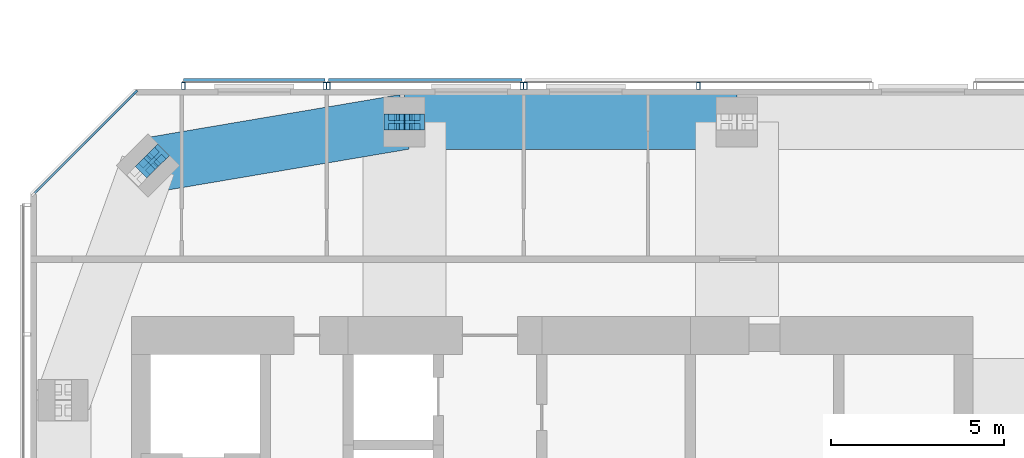
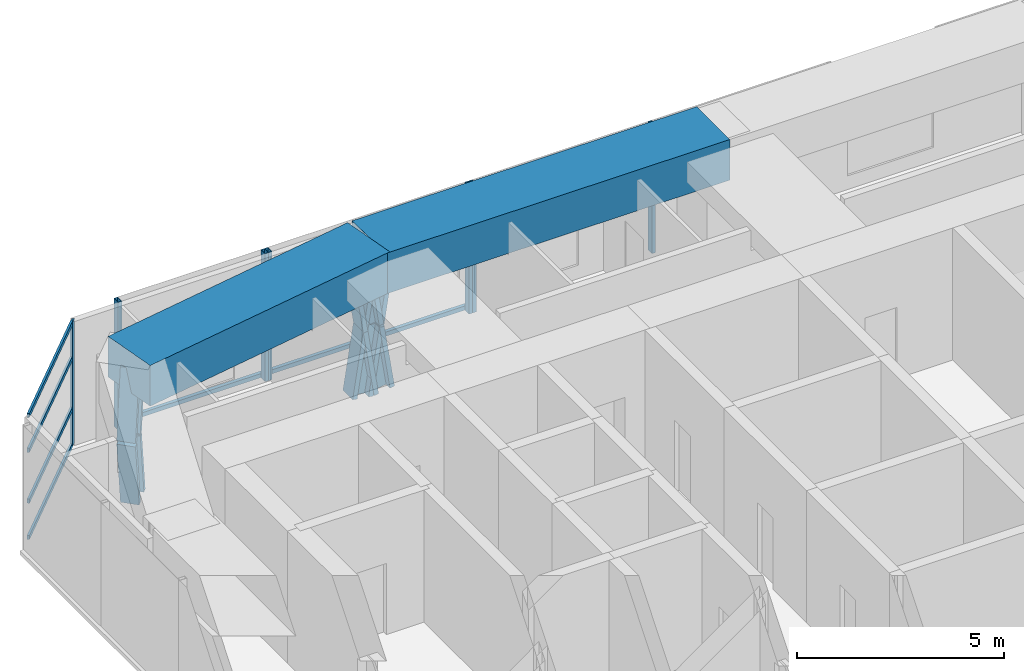
# One storey, part 10 of 20: 19 members, 2 beams, 4 elements without a shape of their own.
"""IFC4 building model written with IfcOpenShell, lengths in metres."""

from ifc_helpers import new_model, si_unit, direction, frame, origin, origin_2d, place, context, subcontext, project, spatial, rectangle, hollow_rectangle, i_section, extrude, material, material_profile, profile_set, type_object, element, aggregate, save


model = new_model("IFC4")

# Units and contexts
model_context = context("Model", 3, precision=1e-05, world=origin(), true_north=direction((0.0, 1.0)))
body_context = subcontext(model_context, "Body", "Model", "MODEL_VIEW")
ifc_project = project(units=[si_unit("LENGTHUNIT", "METRE"), si_unit("AREAUNIT", "SQUARE_METRE"), si_unit("VOLUMEUNIT", "CUBIC_METRE"), si_unit("PLANEANGLEUNIT", "RADIAN"), si_unit("MASSUNIT", "GRAM", prefix="KILO")], contexts=[model_context])

# Site, building, storey
site_placement = place(None, origin())
site = spatial("IfcSite", under=ifc_project, at=site_placement, CompositionType="ELEMENT")
building_placement = place(site_placement, origin())
building = spatial("IfcBuilding", under=site, at=building_placement, Name="Jalousie Tower", CompositionType="ELEMENT")
storey_placement = place(building_placement, frame((0.0, 0.0, 259.949951171875)))
storey = spatial("IfcBuildingStorey", under=building, at=storey_placement, Name="L71", CompositionType="ELEMENT", Elevation=259.949951171875)

# Curtain wall, members
ifc_material_1 = material(Name="Aluminium curtain wall", Category="aluminium")
curtain_wall_type_1 = type_object("IfcCurtainWallType", Name="PENTHOUSE CORNER WINDOW WALL", PredefinedType="USERDEFINED", material=ifc_material_1)
curtain_wall_1_placement = place(storey_placement, origin())
curtain_wall_1 = element("IfcCurtainWall", 1, at=curtain_wall_1_placement, inside=storey, type_object=curtain_wall_type_1, Name="Penthouse Corner Window Wall L71 6", ObjectType="PENTHOUSE CORNER WINDOW WALL", PredefinedType="USERDEFINED")
ifc_material_2 = material(Name="Aluminium mullion", Category="aluminium")
ifc_material_profile_1 = material_profile(ifc_material_2, rectangle(XDim=0.06005859375, YDim=0.179931640625, at=origin_2d()), Name="MULLION 60x180")
ifc_profile_set_1 = profile_set([ifc_material_profile_1], Name="Aluminium mullion")
member_type_1 = type_object("IfcMemberType", Name="PENTHOUSE CORNER WINDOW WALL MULLION", PredefinedType="MULLION", material=ifc_profile_set_1)
member_1_placement = place(storey_placement, frame((19.830078125, 33.891357421875, 0.0), z_axis=(0.0, 0.0, 1.0), x_axis=(0.707106781187, -0.707106781187, 0.0)))
member_1 = element("IfcMember", 2, at=member_1_placement, type_object=member_type_1, Name="CW-H mullion 1", PredefinedType="MULLION", context=body_context, shape_type="SweptSolid", body=[
    extrude(rectangle(XDim=0.06005859375, YDim=0.179931640625, at=origin_2d()), origin(), (0.0, 0.0, 1.0), 3.66015625),
])
ifc_material_3 = material(Name="Aluminium transom", Category="aluminium")
ifc_material_profile_2 = material_profile(ifc_material_3, rectangle(XDim=0.06005859375, YDim=0.125, at=origin_2d()), Name="TRANSOM 60x125")
ifc_profile_set_2 = profile_set([ifc_material_profile_2], Name="Aluminium transom")
member_type_2 = type_object("IfcMemberType", Name="PENTHOUSE CORNER WINDOW WALL TRANSOM", PredefinedType="USERDEFINED", material=ifc_profile_set_2)
member_2_placement = place(storey_placement, frame((19.808837890625, 33.8701171875, 0.030029296875), z_axis=(-0.707106781187, -0.707106781187, 0.0), x_axis=(0.707106781187, -0.707106781187, 0.0)))
member_2 = element("IfcMember", 3, at=member_2_placement, type_object=member_type_2, Name="CW-H transom 1.1", ObjectType="TRANSOM", PredefinedType="USERDEFINED", context=body_context, shape_type="SweptSolid", body=[
    extrude(rectangle(XDim=0.06005859375, YDim=0.125, at=origin_2d()), origin(), (0.0, 0.0, 1.0), 4.0712890625),
])
member_3_placement = place(storey_placement, frame((19.808837890625, 33.8701171875, 1.10009765625), z_axis=(-0.707106781187, -0.707106781187, 0.0), x_axis=(0.707106781187, -0.707106781187, 0.0)))
member_3 = element("IfcMember", 4, at=member_3_placement, type_object=member_type_2, Name="CW-H transom 1.2", ObjectType="TRANSOM", PredefinedType="USERDEFINED", context=body_context, shape_type="SweptSolid", body=[
    extrude(rectangle(XDim=0.06005859375, YDim=0.125, at=origin_2d()), origin(), (0.0, 0.0, 1.0), 4.0712890625),
])
member_4_placement = place(storey_placement, frame((19.808837890625, 33.8701171875, 2.60009765625), z_axis=(-0.707106781187, -0.707106781187, 0.0), x_axis=(0.707106781187, -0.707106781187, 0.0)))
member_4 = element("IfcMember", 5, at=member_4_placement, type_object=member_type_2, Name="CW-H transom 1.3", ObjectType="TRANSOM", PredefinedType="USERDEFINED", context=body_context, shape_type="SweptSolid", body=[
    extrude(rectangle(XDim=0.06005859375, YDim=0.125, at=origin_2d()), origin(), (0.0, 0.0, 1.0), 4.0712890625),
])
member_5_placement = place(storey_placement, frame((19.808837890625, 33.8701171875, 3.630126953125), z_axis=(-0.707106781187, -0.707106781187, 0.0), x_axis=(0.707106781187, -0.707106781187, 0.0)))
member_5 = element("IfcMember", 6, at=member_5_placement, type_object=member_type_2, Name="CW-H transom 1.4", ObjectType="TRANSOM", PredefinedType="USERDEFINED", context=body_context, shape_type="SweptSolid", body=[
    extrude(rectangle(XDim=0.06005859375, YDim=0.125, at=origin_2d()), origin(), (0.0, 0.0, 1.0), 4.0712890625),
])
aggregate(curtain_wall_1, [member_1, member_2, member_3, member_4, member_5])

# Members
ifc_material_4 = material(Name="Steel ASTM A992 Grade 50", Category="steel")
ifc_material_profile_3 = material_profile(ifc_material_4, i_section(OverallWidth=0.472412109375, OverallDepth=0.5791015625, WebThickness=0.094970703125, FlangeThickness=0.1298828125, at=origin_2d()), Name="W14X808")
ifc_profile_set_3 = profile_set([ifc_material_profile_3], Name="Steel ASTM A992 Grade 50")
member_type_3 = type_object("IfcMemberType", Name="PERIMETER BRACE W14X808", PredefinedType="BRACE", material=ifc_profile_set_3)
for number, where, z_axis, x_axis, name in (
    (7, (27.324951171875, 33.050048828125, -0.599853515625), (0.152085080919, 0.0, 0.988367405453), (0.0, 1.0, 0.0), "Perimeter brace 11 L71 part 1"),
    (8, (27.625, 33.050048828125, 1.35009765625), (0.152085080919, 0.0, 0.988367405453), (0.0, 1.0, 0.0), "Perimeter brace 11 L71 part 2"),
    (9, (27.925048828125, 33.050048828125, -0.599853515625), (-0.152085080919, 0.0, 0.988367405453), (0.0, -1.0, 0.0), "Perimeter brace 11 L71 part 3"),
    (10, (27.625, 33.050048828125, 1.35009765625), (-0.152085080919, 0.0, 0.988367405453), (0.0, -1.0, 0.0), "Perimeter brace 11 L71 part 4"),
):
    element("IfcMember", number, at=place(storey_placement, frame(where, z_axis=z_axis, x_axis=x_axis)), inside=storey, type_object=member_type_3, Name=name, PredefinedType="BRACE", context=body_context, shape_type="SweptSolid", body=[
        extrude(i_section(OverallWidth=0.472412109375, OverallDepth=0.5791015625, WebThickness=0.094970703125, FlangeThickness=0.1298828125, at=origin_2d()), origin(), (0.0, 0.0, 1.0), 1.972900390625),
    ])
for number, where, z_axis, x_axis, name in (
    (11, (20.45458984375, 32.040283203125, -0.599853515625), (-0.124960137712, -0.124836902862, 0.984276745467), (0.706757851183, -0.707455539091, 0.0), "Perimeter brace 12 L71 part 1"),
    (12, (20.20703125, 31.79296875, 1.35009765625), (0.124960137712, 0.124836902862, 0.984276745467), (-0.706757851183, 0.707455539091, 0.0), "Perimeter brace 12 L71 part 4"),
):
    element("IfcMember", number, at=place(storey_placement, frame(where, z_axis=z_axis, x_axis=x_axis)), inside=storey, type_object=member_type_3, Name=name, PredefinedType="BRACE", context=body_context, shape_type="SweptSolid", body=[
        extrude(i_section(OverallWidth=0.472412109375, OverallDepth=0.5791015625, WebThickness=0.094970703125, FlangeThickness=0.1298828125, at=origin_2d()), origin(), (0.0, 0.0, 1.0), 1.981201171875),
    ])

# Beams
ifc_material_5 = material(Name="Concrete f'c 40 MPa", Category="concrete")
ifc_material_profile_4 = material_profile(ifc_material_5, rectangle(XDim=1.60009765625, YDim=1.199951171875, at=origin_2d()), Name="RC 1600x1200")
ifc_profile_set_4 = profile_set([ifc_material_profile_4], Name="Concrete f'c 40 MPa")
beam_type = type_object("IfcBeamType", Name="RC BEAM 1600x1200", PredefinedType="BEAM", material=ifc_profile_set_4)
beam_1_placement = place(storey_placement, frame((37.25, 33.050048828125, 3.300048828125), z_axis=(-1.0, 0.0, 0.0), x_axis=(0.0, -1.0, 0.0)))
element("IfcBeam", 13, at=beam_1_placement, inside=storey, type_object=beam_type, Name="Edge band beam 10-11 under L72", PredefinedType="BEAM", context=body_context, shape_type="SweptSolid", body=[
    extrude(rectangle(XDim=1.60009765625, YDim=1.199951171875, at=origin_2d()), origin(), (0.0, 0.0, 1.0), 9.625),
])
beam_2_placement = place(storey_placement, frame((27.625, 33.050048828125, 3.300048828125), z_axis=(-0.985942997446, -0.167082033105, 0.0), x_axis=(0.167082033105, -0.985942997446, 0.0)))
element("IfcBeam", 14, at=beam_2_placement, inside=storey, type_object=beam_type, Name="Edge band beam 11-12 under L72", PredefinedType="BEAM", context=body_context, shape_type="SweptSolid", body=[
    extrude(rectangle(XDim=1.60009765625, YDim=1.199951171875, at=origin_2d()), origin(), (0.0, 0.0, 1.0), 7.523681640625),
])

# Curtain wall, members
ifc_material_6 = material(Name="Perforated aluminium sheet", Category="aluminium")
curtain_wall_type_2 = type_object("IfcCurtainWallType", Name="SOLAR SCREEN SS-2", PredefinedType="USERDEFINED", material=ifc_material_6)
curtain_wall_2_placement = place(storey_placement, origin())
curtain_wall_2 = element("IfcCurtainWall", 15, at=curtain_wall_2_placement, inside=storey, type_object=curtain_wall_type_2, Name="Solar screen L71", ObjectType="SOLAR SCREEN SS-2", PredefinedType="USERDEFINED")
ifc_material_7 = material(Name="Steel ASTM A500 Grade C", Category="steel")
ifc_material_profile_5 = material_profile(ifc_material_7, hollow_rectangle(XDim=0.1015625, YDim=0.203125, WallThickness=0.0078125, at=origin_2d()), Name="HSS8X4X5/16")
ifc_profile_set_5 = profile_set([ifc_material_profile_5], Name="Steel ASTM A500 Grade C")
member_type_4 = type_object("IfcMemberType", Name="SOLAR SCREEN SS-2 MULLION", PredefinedType="MULLION", material=ifc_profile_set_5)
member_6_placement = place(storey_placement, frame((36.1318359375, 34.0966796875, -0.119873046875), z_axis=(0.0, 0.0, 1.0), x_axis=(-1.0, 0.0, 0.0)))
member_6 = element("IfcMember", 16, at=member_6_placement, type_object=member_type_4, Name="SS2 post 2", PredefinedType="MULLION", context=body_context, shape_type="SweptSolid", body=[
    extrude(hollow_rectangle(XDim=0.1015625, YDim=0.203125, WallThickness=0.0078125, at=origin_2d()), origin(), (0.0, 0.0, 1.0), 3.780029296875),
])
member_7_placement = place(storey_placement, frame((31.125, 34.0966796875, -0.119873046875), z_axis=(0.0, 0.0, 1.0), x_axis=(-1.0, 0.0, 0.0)))
member_7 = element("IfcMember", 17, at=member_7_placement, type_object=member_type_4, Name="SS2 post 3", PredefinedType="MULLION", context=body_context, shape_type="SweptSolid", body=[
    extrude(hollow_rectangle(XDim=0.1015625, YDim=0.203125, WallThickness=0.0078125, at=origin_2d()), origin(), (0.0, 0.0, 1.0), 3.780029296875),
])
aggregate(curtain_wall_2, [member_6, member_7])

curtain_wall_3_placement = place(storey_placement, origin())
curtain_wall_3 = element("IfcCurtainWall", 18, at=curtain_wall_3_placement, inside=storey, type_object=curtain_wall_type_2, Name="Solar screen L71", ObjectType="SOLAR SCREEN SS-2", PredefinedType="USERDEFINED")
member_8_placement = place(storey_placement, frame((31.02490234375, 34.0966796875, -0.119873046875), z_axis=(0.0, 0.0, 1.0), x_axis=(-1.0, 0.0, 0.0)))
member_8 = element("IfcMember", 19, at=member_8_placement, type_object=member_type_4, Name="SS2 post 1", PredefinedType="MULLION", context=body_context, shape_type="SweptSolid", body=[
    extrude(hollow_rectangle(XDim=0.1015625, YDim=0.203125, WallThickness=0.0078125, at=origin_2d()), origin(), (0.0, 0.0, 1.0), 3.780029296875),
])
member_9_placement = place(storey_placement, frame((25.425048828125, 34.0966796875, -0.119873046875), z_axis=(0.0, 0.0, 1.0), x_axis=(-1.0, 0.0, 0.0)))
member_9 = element("IfcMember", 20, at=member_9_placement, type_object=member_type_4, Name="SS2 post 2", PredefinedType="MULLION", context=body_context, shape_type="SweptSolid", body=[
    extrude(hollow_rectangle(XDim=0.1015625, YDim=0.203125, WallThickness=0.0078125, at=origin_2d()), origin(), (0.0, 0.0, 1.0), 3.780029296875),
])

curtain_wall_4_placement = place(storey_placement, origin())
curtain_wall_4 = element("IfcCurtainWall", 21, at=curtain_wall_4_placement, inside=storey, type_object=curtain_wall_type_2, Name="Solar screen L71", ObjectType="SOLAR SCREEN SS-2", PredefinedType="USERDEFINED")
member_10_placement = place(storey_placement, frame((25.324951171875, 34.0966796875, -0.119873046875), z_axis=(0.0, 0.0, 1.0), x_axis=(-1.0, 0.0, 0.0)))
member_10 = element("IfcMember", 22, at=member_10_placement, type_object=member_type_4, Name="SS2 post 1", PredefinedType="MULLION", context=body_context, shape_type="SweptSolid", body=[
    extrude(hollow_rectangle(XDim=0.1015625, YDim=0.203125, WallThickness=0.0078125, at=origin_2d()), origin(), (0.0, 0.0, 1.0), 3.780029296875),
])
member_11_placement = place(storey_placement, frame((21.226318359375, 34.0966796875, -0.119873046875), z_axis=(0.0, 0.0, 1.0), x_axis=(-1.0, 0.0, 0.0)))
member_11 = element("IfcMember", 23, at=member_11_placement, type_object=member_type_4, Name="SS2 post 2", PredefinedType="MULLION", context=body_context, shape_type="SweptSolid", body=[
    extrude(hollow_rectangle(XDim=0.1015625, YDim=0.203125, WallThickness=0.0078125, at=origin_2d()), origin(), (0.0, 0.0, 1.0), 3.780029296875),
])

# Member
ifc_material_8 = material(Name="Extruded aluminium screen rail", Category="aluminium")
ifc_material_profile_6 = material_profile(ifc_material_8, rectangle(XDim=0.1015625, YDim=0.1201171875, at=origin_2d()), Name="RAIL 102x120")
ifc_profile_set_6 = profile_set([ifc_material_profile_6], Name="Extruded aluminium screen rail")
member_type_5 = type_object("IfcMemberType", Name="SOLAR SCREEN SS-2 TRANSOM", PredefinedType="USERDEFINED", material=ifc_profile_set_6)
member_12_placement = place(storey_placement, frame((31.02490234375, 34.2490234375, -0.06005859375), z_axis=(-1.0, 0.0, 0.0), x_axis=(0.0, -1.0, 0.0)))
member_12 = element("IfcMember", 24, at=member_12_placement, type_object=member_type_5, Name="SS2 rail", ObjectType="TRANSOM", PredefinedType="USERDEFINED", context=body_context, shape_type="SweptSolid", body=[
    extrude(rectangle(XDim=0.1015625, YDim=0.1201171875, at=origin_2d()), origin(), (0.0, 0.0, 1.0), 5.599853515625),
])

aggregate(curtain_wall_3, [member_8, member_9, member_12])

member_13_placement = place(storey_placement, frame((25.324951171875, 34.2490234375, -0.06005859375), z_axis=(-1.0, 0.0, 0.0), x_axis=(0.0, -1.0, 0.0)))
member_13 = element("IfcMember", 25, at=member_13_placement, type_object=member_type_5, Name="SS2 rail", ObjectType="TRANSOM", PredefinedType="USERDEFINED", context=body_context, shape_type="SweptSolid", body=[
    extrude(rectangle(XDim=0.1015625, YDim=0.1201171875, at=origin_2d()), origin(), (0.0, 0.0, 1.0), 4.0986328125),
])

aggregate(curtain_wall_4, [member_10, member_11, member_13])

save(model, "model.ifc")
